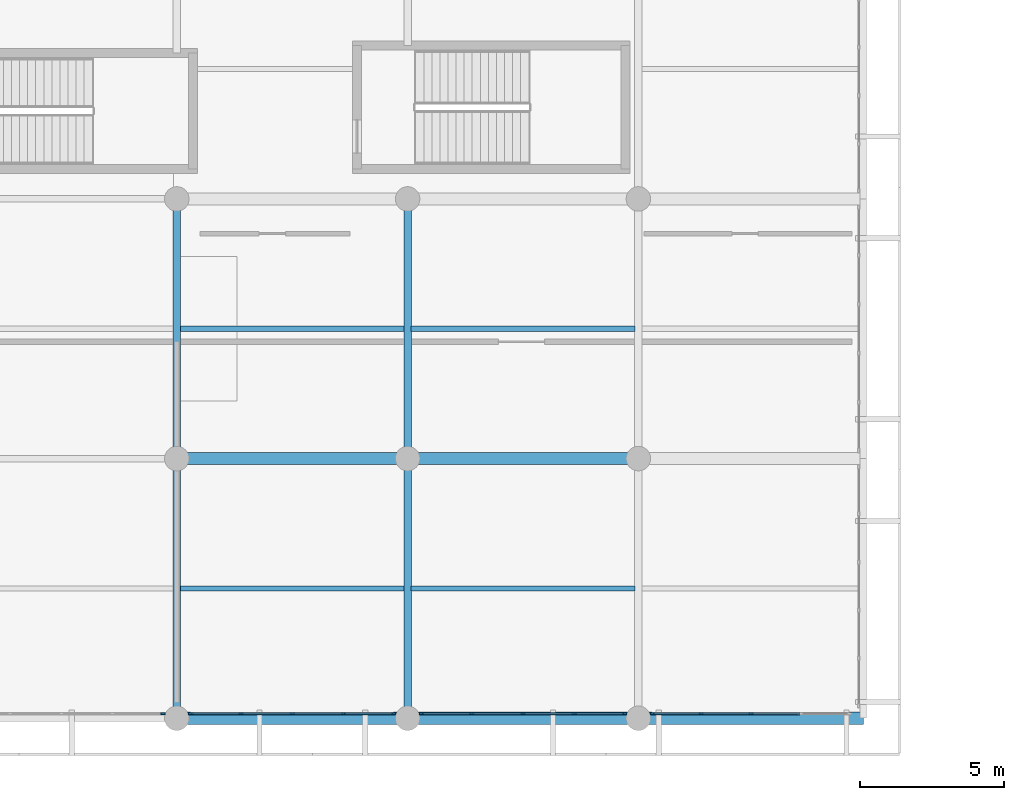
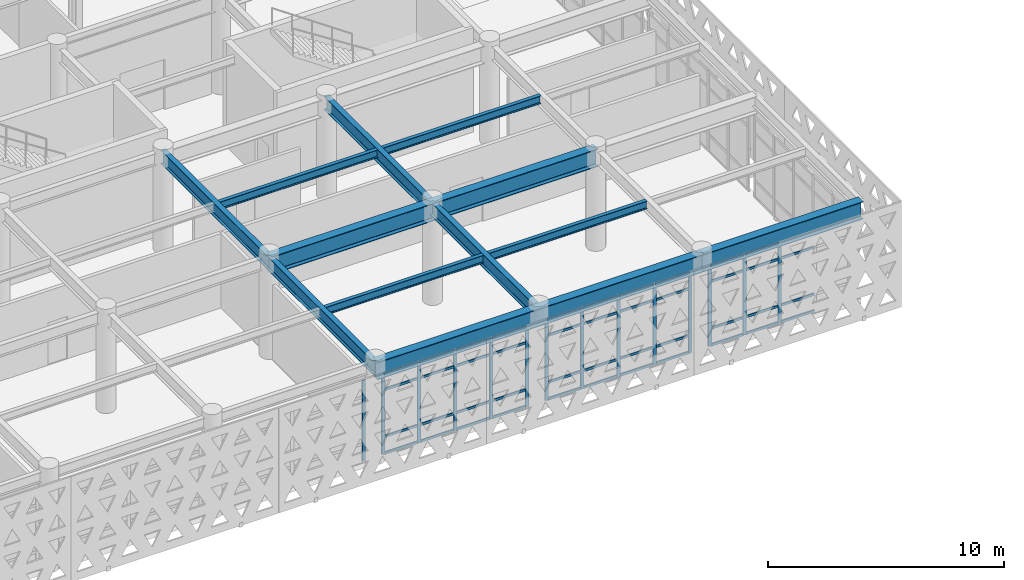
# One storey, part 23 of 84: 57 members, 11 beams, 4 elements without a shape of their own.
"""IFC4 building model written with IfcOpenShell, lengths in metres."""

import ifcopenshell
import ifcopenshell.guid

model = None  # the IFC model being written
_history = None  # IfcOwnerHistory: only IFC2X3 demands one
_inside = {}  # id of a spatial element -> (the spatial element, [elements in it])
_under = {}  # id of a project, library or spatial element -> (it, [spatial elements below it])
_declared = {}  # id of a project -> (the project, [libraries it declares])
_typed = {}  # id of a type object -> (the type object, [elements of that type])
_made_of = {}  # id of a material, layer set ... -> (it, [elements and type objects made of it])


def new_model(schema):
    """Start an empty IFC model of exactly this schema.

    Asked for "IFC4X3", IfcOpenShell would pick the latest addendum, in which some entities
    have other attributes; the version numbers below select the first issue.
    IFC2X3 requires an IfcOwnerHistory on every rooted entity: one is made here for all.
    """
    global model, _history
    if schema == "IFC4X3":
        model = ifcopenshell.file(schema_version=(4, 3, 0, 0))
    else:
        model = ifcopenshell.file(schema=schema)
    _inside.clear()
    _under.clear()
    _declared.clear()
    _typed.clear()
    _made_of.clear()
    _history = None
    if model.schema == "IFC2X3":
        org = make("IfcOrganization", Name="unknown")
        user = make(
            "IfcPersonAndOrganization",
            ThePerson=make("IfcPerson", FamilyName="unknown"),
            TheOrganization=org,
        )
        app = make(
            "IfcApplication",
            ApplicationDeveloper=org,
            Version="unknown",
            ApplicationFullName="unknown",
            ApplicationIdentifier="unknown",
        )
        _history = make(
            "IfcOwnerHistory",
            OwningUser=user,
            OwningApplication=app,
            ChangeAction="ADDED",
            CreationDate=0,
        )
    return model


def make(cls, **values):
    """One entity of the class cls with the attributes given. An attribute that is None is left unset."""
    return model.create_entity(
        cls, **{name: value for name, value in values.items() if value is not None}
    )


def rooted(cls, **values):
    """An entity with a GlobalId (a new one), such as an element, a storey or a relation."""
    return make(cls, GlobalId=ifcopenshell.guid.new(), OwnerHistory=_history, **values)


def si_unit(unit_type, name, prefix=None):
    """IfcSIUnit, for example si_unit("LENGTHUNIT", "METRE", prefix="MILLI")."""
    return make("IfcSIUnit", UnitType=unit_type, Prefix=prefix, Name=name)


def assignment(units):
    """IfcUnitAssignment: the units of a project."""
    return None if units is None else make("IfcUnitAssignment", Units=units)


def point(xyz):
    """IfcCartesianPoint."""
    return None if xyz is None else make("IfcCartesianPoint", Coordinates=xyz)


def direction(xyz):
    """IfcDirection."""
    return None if xyz is None else make("IfcDirection", DirectionRatios=xyz)


def frame(location, z_axis=None, x_axis=None):
    """IfcAxis2Placement3D, a coordinate frame: its origin and axes. An axis left out is left unset."""
    return make(
        "IfcAxis2Placement3D",
        Location=point(location),
        Axis=direction(z_axis),
        RefDirection=direction(x_axis),
    )


def frame_2d(location, x_axis=None):
    """IfcAxis2Placement2D, a coordinate frame in the plane: its origin and x axis."""
    return make(
        "IfcAxis2Placement2D", Location=point(location), RefDirection=direction(x_axis)
    )


def origin():
    """The frame at (0, 0, 0) with its axes left unset."""
    return frame((0.0, 0.0, 0.0))


def origin_2d():
    """The frame at (0, 0) in the plane with its x axis left unset."""
    return frame_2d((0.0, 0.0))


def place(relative_to, where):
    """IfcLocalPlacement: puts the frame where relative to a parent placement (None: the world)."""
    return make(
        "IfcLocalPlacement", PlacementRelTo=relative_to, RelativePlacement=where
    )


def context(
    kind, dimensions, precision=None, world=None, true_north=None, identifier=None
):
    """IfcGeometricRepresentationContext, for example the 3D "Model" context."""
    return make(
        "IfcGeometricRepresentationContext",
        ContextIdentifier=identifier,
        ContextType=kind,
        CoordinateSpaceDimension=dimensions,
        Precision=precision,
        WorldCoordinateSystem=world,
        TrueNorth=true_north,
    )


def subcontext(parent, identifier, kind, view, scale=None):
    """IfcGeometricRepresentationSubContext, for example "Body" below "Model"."""
    return make(
        "IfcGeometricRepresentationSubContext",
        ContextIdentifier=identifier,
        ContextType=kind,
        ParentContext=parent,
        TargetScale=scale,
        TargetView=view,
    )


def project(units=None, contexts=None):
    """IfcProject with its units and contexts."""
    return rooted(
        "IfcProject",
        Name="project",
        RepresentationContexts=contexts,
        UnitsInContext=assignment(units),
    )


def spatial(cls, under=None, at=None, **own):
    """A site, building, storey or space (cls), placed at a placement, below another one or the project."""
    s = rooted(cls, ObjectPlacement=at, **own)
    if under is not None:
        _under.setdefault(under.id(), (under, []))[1].append(s)
    return s


def profile(cls, at=None, kind="AREA", **sizes):
    """A parametric profile (cls). Its sizes go by their IFC names, for example OverallWidth=200.0."""
    return make(cls, ProfileType=kind, Position=at, **sizes)


def rectangle(**sizes):
    """IfcRectangleProfileDef."""
    return profile("IfcRectangleProfileDef", **sizes)


def i_section(**sizes):
    """IfcIShapeProfileDef."""
    return profile("IfcIShapeProfileDef", **sizes)


def extrude(swept, where, along, depth):
    """IfcExtrudedAreaSolid: the profile swept, set in the frame where, extruded along a direction by depth."""
    return make(
        "IfcExtrudedAreaSolid",
        SweptArea=swept,
        Position=where,
        ExtrudedDirection=direction(along),
        Depth=depth,
    )


def shape(context_of_items, identifier, shape_type, items):
    """IfcShapeRepresentation: the items that make up one representation, for example the "Body"."""
    return make(
        "IfcShapeRepresentation",
        ContextOfItems=context_of_items,
        RepresentationIdentifier=identifier,
        RepresentationType=shape_type,
        Items=items,
    )


def material(Name=None, Category=None):
    """IfcMaterial."""
    return make("IfcMaterial", Name=Name, Category=Category)


def layer(
    of_material, thickness, ventilated=None, Name=None, Category=None, Priority=None
):
    """IfcMaterialLayer: one layer of a wall or slab, of a material (None: an air gap)."""
    return make(
        "IfcMaterialLayer",
        Material=of_material,
        LayerThickness=thickness,
        IsVentilated=ventilated,
        Name=Name,
        Category=Category,
        Priority=Priority,
    )


def layer_set(layers, Name=None):
    """IfcMaterialLayerSet."""
    return make("IfcMaterialLayerSet", MaterialLayers=layers, LayerSetName=Name)


def material_profile(
    of_material, cross_section, Name=None, Category=None, Priority=None
):
    """IfcMaterialProfile: a cross section and its material."""
    return make(
        "IfcMaterialProfile",
        Name=Name,
        Material=of_material,
        Profile=cross_section,
        Priority=Priority,
        Category=Category,
    )


def profile_set(profiles, Name=None, composite=None):
    """IfcMaterialProfileSet."""
    return make(
        "IfcMaterialProfileSet",
        Name=Name,
        MaterialProfiles=profiles,
        CompositeProfile=composite,
    )


def made_of(thing, what):
    """Note that an element or type object is made of a material, layer set ...; save() writes the relation."""
    if what is not None:
        _made_of.setdefault(what.id(), (what, []))[1].append(thing)
    return thing


def type_object(cls, material=None, **own):
    """A type object (cls), such as IfcWallType, which elements share."""
    return made_of(rooted(cls, **own), material)


def element(
    cls,
    number,
    at=None,
    inside=None,
    cuts=None,
    type_object=None,
    material=None,
    context=None,
    identifier="Body",
    shape_type=None,
    held_by="IfcProductDefinitionShape",
    body=None,
    shapes=None,
    **own,
):
    """One element of the class cls, such as IfcWall. Its Tag is "e" and its number.

    at: its placement. inside: the storey or other place that contains it. cuts: it is an
    opening in that element (IfcRelVoidsElement). A single representation is given by context,
    identifier, shape_type and body (its items); several are given by shapes. held_by: the class
    of the entity that holds the representations. save() writes the other relations.
    """
    e = rooted(cls, Tag="e%d" % number, ObjectPlacement=at, **own)
    if body is not None:
        shapes = [shape(context, identifier, shape_type, body)]
    if shapes is not None:
        e.Representation = make(held_by, Representations=shapes)
    if inside is not None:
        _inside.setdefault(inside.id(), (inside, []))[1].append(e)
    if cuts is not None:
        rooted(
            "IfcRelVoidsElement", RelatingBuildingElement=cuts, RelatedOpeningElement=e
        )
    if type_object is not None:
        _typed.setdefault(type_object.id(), (type_object, []))[1].append(e)
    return made_of(e, material)


def aggregate(whole, parts):
    """IfcRelAggregates: a whole, such as a stair, and the parts it consists of."""
    return rooted("IfcRelAggregates", RelatingObject=whole, RelatedObjects=parts)


def save(model, path):
    """Write the relations noted so far, then the file.

    IfcRelAggregates (storeys below a building ...), IfcRelContainedInSpatialStructure (elements
    in a storey), IfcRelDefinesByType, IfcRelAssociatesMaterial and IfcRelDeclares: one each for
    every whole, place, type object, material and project.
    """
    for whole, parts in _under.values():
        aggregate(whole, parts)
    for where, things in _inside.values():
        rooted(
            "IfcRelContainedInSpatialStructure",
            RelatedElements=things,
            RelatingStructure=where,
        )
    for kind, things in _typed.values():
        rooted("IfcRelDefinesByType", RelatedObjects=things, RelatingType=kind)
    for what, things in _made_of.values():
        rooted("IfcRelAssociatesMaterial", RelatedObjects=things, RelatingMaterial=what)
    for by, libraries in _declared.values():
        rooted("IfcRelDeclares", RelatingContext=by, RelatedDefinitions=libraries)
    model.write(path)


model = new_model("IFC4")

# Units and contexts
model_context = context("Model", 3, precision=1e-05, world=origin(), true_north=direction((0.0, 1.0)))
body_context = subcontext(model_context, "Body", "Model", "MODEL_VIEW")
ifc_project = project(units=[si_unit("LENGTHUNIT", "METRE"), si_unit("AREAUNIT", "SQUARE_METRE"), si_unit("VOLUMEUNIT", "CUBIC_METRE"), si_unit("PLANEANGLEUNIT", "RADIAN"), si_unit("MASSUNIT", "GRAM", prefix="KILO")], contexts=[model_context])

# Site, building, storey
site_placement = place(None, origin())
site = spatial("IfcSite", under=ifc_project, at=site_placement, CompositionType="ELEMENT")
building_placement = place(site_placement, origin())
building = spatial("IfcBuilding", under=site, at=building_placement, Name="Tlacozan Convention Centre", CompositionType="ELEMENT")
storey_placement = place(building_placement, frame((0.0, 0.0, 6.0)))
storey = spatial("IfcBuildingStorey", under=building, at=storey_placement, Name="L01", CompositionType="ELEMENT", Elevation=6.0)

# Beam
ifc_material_1 = material(Name="Steel ASTM A992 Grade 50", Category="steel")
ifc_material_profile_1 = material_profile(ifc_material_1, i_section(OverallWidth=0.41796875, OverallDepth=0.912109375, WebThickness=0.019287109375, FlangeThickness=0.031982421875, FilletRadius=0.02001953125, at=origin_2d()), Name="IR 914x342.0")
ifc_profile_set_1 = profile_set([ifc_material_profile_1], Name="Steel ASTM A992 Grade 50")
beam_type_1 = type_object("IfcBeamType", Name="Cantilever Girder IR 914x342", PredefinedType="BEAM", material=ifc_profile_set_1)
beam_placement = place(storey_placement, frame((112.0, 0.0, 4.68408203125), z_axis=(1.0, 0.0, 0.0), x_axis=(0.0, 1.0, 0.0)))
element("IfcBeam", 1, at=beam_placement, inside=storey, type_object=beam_type_1, Name="L01 Cantilever Girder IR 914x342 314", PredefinedType="BEAM", context=body_context, shape_type="SweptSolid", body=[
    extrude(i_section(OverallWidth=0.41796875, OverallDepth=0.912109375, WebThickness=0.019287109375, FlangeThickness=0.031982421875, FilletRadius=0.02001953125, at=origin_2d()), origin(), (0.0, 0.0, 1.0), 7.800048828125),
])

# Curtain wall, member
ifc_material_2 = material(Name="Dark Bronze Anodised Aluminium", Category="aluminium")
ifc_layer = layer(ifc_material_2, 0.159912109375)
ifc_layer_set = layer_set([ifc_layer], Name="Dark Bronze Anodised Aluminium")
curtain_wall_type = type_object("IfcCurtainWallType", Name="Unitised Congress L01 South CW02", PredefinedType="NOTDEFINED", material=ifc_layer_set)
curtain_wall_1_placement = place(storey_placement, origin())
curtain_wall_1 = element("IfcCurtainWall", 2, at=curtain_wall_1_placement, inside=storey, type_object=curtain_wall_type, Name="L01 CW-02 Run 66", PredefinedType="NOTDEFINED")
ifc_material_profile_2 = material_profile(ifc_material_2, rectangle(XDim=0.06494140625, YDim=0.159912109375, at=origin_2d()), Name="ALU 65x160")
ifc_profile_set_2 = profile_set([ifc_material_profile_2], Name="Dark Bronze Anodised Aluminium")
member_type_1 = type_object("IfcMemberType", Name="Curtain Wall Mullion 65x160", PredefinedType="MULLION", material=ifc_profile_set_2)
member_1_placement = place(storey_placement, frame((95.517578125, 0.159912109375, 0.0), z_axis=(0.0, 0.0, 1.0), x_axis=(0.0, 1.0, 0.0)))
member_1 = element("IfcMember", 3, at=member_1_placement, type_object=member_type_1, Name="CW-02 mullion 5", PredefinedType="MULLION", context=body_context, shape_type="SweptSolid", body=[
    extrude(rectangle(XDim=0.06494140625, YDim=0.159912109375, at=origin_2d()), origin(), (0.0, 0.0, 1.0), 4.179931640625),
])
aggregate(curtain_wall_1, [member_1])

# Curtain wall, members
curtain_wall_2_placement = place(storey_placement, origin())
curtain_wall_2 = element("IfcCurtainWall", 4, at=curtain_wall_2_placement, inside=storey, type_object=curtain_wall_type, Name="L01 CW-02 Run 67", PredefinedType="NOTDEFINED")
member_2_placement = place(storey_placement, frame((96.482421875, 0.159912109375, 0.0), z_axis=(0.0, 0.0, 1.0), x_axis=(0.0, 1.0, 0.0)))
member_2 = element("IfcMember", 5, at=member_2_placement, type_object=member_type_1, Name="CW-02 mullion 1", PredefinedType="MULLION", context=body_context, shape_type="SweptSolid", body=[
    extrude(rectangle(XDim=0.06494140625, YDim=0.159912109375, at=origin_2d()), origin(), (0.0, 0.0, 1.0), 4.179931640625),
])
member_3_placement = place(storey_placement, frame((98.22509765625, 0.159912109375, 0.0), z_axis=(0.0, 0.0, 1.0), x_axis=(0.0, 1.0, 0.0)))
member_3 = element("IfcMember", 6, at=member_3_placement, type_object=member_type_1, Name="CW-02 mullion 2", PredefinedType="MULLION", context=body_context, shape_type="SweptSolid", body=[
    extrude(rectangle(XDim=0.06494140625, YDim=0.159912109375, at=origin_2d()), origin(), (0.0, 0.0, 1.0), 4.179931640625),
])
member_4_placement = place(storey_placement, frame((100.0, 0.159912109375, 0.0), z_axis=(0.0, 0.0, 1.0), x_axis=(0.0, 1.0, 0.0)))
member_4 = element("IfcMember", 7, at=member_4_placement, type_object=member_type_1, Name="CW-02 mullion 3", PredefinedType="MULLION", context=body_context, shape_type="SweptSolid", body=[
    extrude(rectangle(XDim=0.06494140625, YDim=0.159912109375, at=origin_2d()), origin(), (0.0, 0.0, 1.0), 4.179931640625),
])
member_5_placement = place(storey_placement, frame((101.77490234375, 0.159912109375, 0.0), z_axis=(0.0, 0.0, 1.0), x_axis=(0.0, 1.0, 0.0)))
member_5 = element("IfcMember", 8, at=member_5_placement, type_object=member_type_1, Name="CW-02 mullion 4", PredefinedType="MULLION", context=body_context, shape_type="SweptSolid", body=[
    extrude(rectangle(XDim=0.06494140625, YDim=0.159912109375, at=origin_2d()), origin(), (0.0, 0.0, 1.0), 4.179931640625),
])
member_6_placement = place(storey_placement, frame((103.517578125, 0.159912109375, 0.0), z_axis=(0.0, 0.0, 1.0), x_axis=(0.0, 1.0, 0.0)))
member_6 = element("IfcMember", 9, at=member_6_placement, type_object=member_type_1, Name="CW-02 mullion 5", PredefinedType="MULLION", context=body_context, shape_type="SweptSolid", body=[
    extrude(rectangle(XDim=0.06494140625, YDim=0.159912109375, at=origin_2d()), origin(), (0.0, 0.0, 1.0), 4.179931640625),
])

curtain_wall_3_placement = place(storey_placement, origin())
curtain_wall_3 = element("IfcCurtainWall", 10, at=curtain_wall_3_placement, inside=storey, type_object=curtain_wall_type, Name="L01 CW-02 Run 68", PredefinedType="NOTDEFINED")
member_7_placement = place(storey_placement, frame((104.482421875, 0.159912109375, 0.0), z_axis=(0.0, 0.0, 1.0), x_axis=(0.0, 1.0, 0.0)))
member_7 = element("IfcMember", 11, at=member_7_placement, type_object=member_type_1, Name="CW-02 mullion 1", PredefinedType="MULLION", context=body_context, shape_type="SweptSolid", body=[
    extrude(rectangle(XDim=0.06494140625, YDim=0.159912109375, at=origin_2d()), origin(), (0.0, 0.0, 1.0), 4.179931640625),
])
member_8_placement = place(storey_placement, frame((106.22509765625, 0.159912109375, 0.0), z_axis=(0.0, 0.0, 1.0), x_axis=(0.0, 1.0, 0.0)))
member_8 = element("IfcMember", 12, at=member_8_placement, type_object=member_type_1, Name="CW-02 mullion 2", PredefinedType="MULLION", context=body_context, shape_type="SweptSolid", body=[
    extrude(rectangle(XDim=0.06494140625, YDim=0.159912109375, at=origin_2d()), origin(), (0.0, 0.0, 1.0), 4.179931640625),
])
member_9_placement = place(storey_placement, frame((108.0, 0.159912109375, 0.0), z_axis=(0.0, 0.0, 1.0), x_axis=(0.0, 1.0, 0.0)))
member_9 = element("IfcMember", 13, at=member_9_placement, type_object=member_type_1, Name="CW-02 mullion 3", PredefinedType="MULLION", context=body_context, shape_type="SweptSolid", body=[
    extrude(rectangle(XDim=0.06494140625, YDim=0.159912109375, at=origin_2d()), origin(), (0.0, 0.0, 1.0), 4.179931640625),
])
member_10_placement = place(storey_placement, frame((109.77490234375, 0.159912109375, 0.0), z_axis=(0.0, 0.0, 1.0), x_axis=(0.0, 1.0, 0.0)))
member_10 = element("IfcMember", 14, at=member_10_placement, type_object=member_type_1, Name="CW-02 mullion 4", PredefinedType="MULLION", context=body_context, shape_type="SweptSolid", body=[
    extrude(rectangle(XDim=0.06494140625, YDim=0.159912109375, at=origin_2d()), origin(), (0.0, 0.0, 1.0), 4.179931640625),
])
member_11_placement = place(storey_placement, frame((111.517578125, 0.159912109375, 0.0), z_axis=(0.0, 0.0, 1.0), x_axis=(0.0, 1.0, 0.0)))
member_11 = element("IfcMember", 15, at=member_11_placement, type_object=member_type_1, Name="CW-02 mullion 5", PredefinedType="MULLION", context=body_context, shape_type="SweptSolid", body=[
    extrude(rectangle(XDim=0.06494140625, YDim=0.159912109375, at=origin_2d()), origin(), (0.0, 0.0, 1.0), 4.179931640625),
])

curtain_wall_4_placement = place(storey_placement, origin())
curtain_wall_4 = element("IfcCurtainWall", 16, at=curtain_wall_4_placement, inside=storey, type_object=curtain_wall_type, Name="L01 CW-02 Run 69", PredefinedType="NOTDEFINED")
member_12_placement = place(storey_placement, frame((112.482421875, 0.159912109375, 0.0), z_axis=(0.0, 0.0, 1.0), x_axis=(0.0, 1.0, 0.0)))
member_12 = element("IfcMember", 17, at=member_12_placement, type_object=member_type_1, Name="CW-02 mullion 1", PredefinedType="MULLION", context=body_context, shape_type="SweptSolid", body=[
    extrude(rectangle(XDim=0.06494140625, YDim=0.159912109375, at=origin_2d()), origin(), (0.0, 0.0, 1.0), 4.179931640625),
])
member_13_placement = place(storey_placement, frame((114.175048828125, 0.159912109375, 0.0), z_axis=(0.0, 0.0, 1.0), x_axis=(0.0, 1.0, 0.0)))
member_13 = element("IfcMember", 18, at=member_13_placement, type_object=member_type_1, Name="CW-02 mullion 2", PredefinedType="MULLION", context=body_context, shape_type="SweptSolid", body=[
    extrude(rectangle(XDim=0.06494140625, YDim=0.159912109375, at=origin_2d()), origin(), (0.0, 0.0, 1.0), 4.179931640625),
])
member_14_placement = place(storey_placement, frame((115.89990234375, 0.159912109375, 0.0), z_axis=(0.0, 0.0, 1.0), x_axis=(0.0, 1.0, 0.0)))
member_14 = element("IfcMember", 19, at=member_14_placement, type_object=member_type_1, Name="CW-02 mullion 3", PredefinedType="MULLION", context=body_context, shape_type="SweptSolid", body=[
    extrude(rectangle(XDim=0.06494140625, YDim=0.159912109375, at=origin_2d()), origin(), (0.0, 0.0, 1.0), 4.179931640625),
])

# Member
ifc_material_profile_3 = material_profile(ifc_material_2, rectangle(XDim=0.06494140625, YDim=0.125, at=origin_2d()), Name="ALU 65x125")
ifc_profile_set_3 = profile_set([ifc_material_profile_3], Name="Dark Bronze Anodised Aluminium")
member_type_2 = type_object("IfcMemberType", Name="Curtain Wall Transom 65x125", PredefinedType="USERDEFINED", material=ifc_profile_set_3)
member_15_placement = place(storey_placement, frame((96.514892578125, 0.159912109375, 0.032470703125), z_axis=(1.0, 0.0, 0.0), x_axis=(0.0, 1.0, 0.0)))
member_15 = element("IfcMember", 20, at=member_15_placement, type_object=member_type_2, Name="CW-02 transom 1.1", ObjectType="TRANSOM", PredefinedType="USERDEFINED", context=body_context, shape_type="SweptSolid", body=[
    extrude(rectangle(XDim=0.06494140625, YDim=0.125, at=origin_2d()), origin(), (0.0, 0.0, 1.0), 1.677490234375),
])

member_16_placement = place(storey_placement, frame((96.514892578125, 0.159912109375, 0.89990234375), z_axis=(1.0, 0.0, 0.0), x_axis=(0.0, 1.0, 0.0)))
member_16 = element("IfcMember", 21, at=member_16_placement, type_object=member_type_2, Name="CW-02 transom 1.2", ObjectType="TRANSOM", PredefinedType="USERDEFINED", context=body_context, shape_type="SweptSolid", body=[
    extrude(rectangle(XDim=0.06494140625, YDim=0.125, at=origin_2d()), origin(), (0.0, 0.0, 1.0), 1.677490234375),
])

member_17_placement = place(storey_placement, frame((96.514892578125, 0.159912109375, 3.330078125), z_axis=(1.0, 0.0, 0.0), x_axis=(0.0, 1.0, 0.0)))
member_17 = element("IfcMember", 22, at=member_17_placement, type_object=member_type_2, Name="CW-02 transom 1.3", ObjectType="TRANSOM", PredefinedType="USERDEFINED", context=body_context, shape_type="SweptSolid", body=[
    extrude(rectangle(XDim=0.06494140625, YDim=0.125, at=origin_2d()), origin(), (0.0, 0.0, 1.0), 1.677490234375),
])

member_18_placement = place(storey_placement, frame((96.514892578125, 0.159912109375, 4.1474609375), z_axis=(1.0, 0.0, 0.0), x_axis=(0.0, 1.0, 0.0)))
member_18 = element("IfcMember", 23, at=member_18_placement, type_object=member_type_2, Name="CW-02 transom 1.4", ObjectType="TRANSOM", PredefinedType="USERDEFINED", context=body_context, shape_type="SweptSolid", body=[
    extrude(rectangle(XDim=0.06494140625, YDim=0.125, at=origin_2d()), origin(), (0.0, 0.0, 1.0), 1.677490234375),
])

member_19_placement = place(storey_placement, frame((98.257568359375, 0.159912109375, 0.032470703125), z_axis=(1.0, 0.0, 0.0), x_axis=(0.0, 1.0, 0.0)))
member_19 = element("IfcMember", 24, at=member_19_placement, type_object=member_type_2, Name="CW-02 transom 2.1", ObjectType="TRANSOM", PredefinedType="USERDEFINED", context=body_context, shape_type="SweptSolid", body=[
    extrude(rectangle(XDim=0.06494140625, YDim=0.125, at=origin_2d()), origin(), (0.0, 0.0, 1.0), 1.7099609375),
])

member_20_placement = place(storey_placement, frame((98.257568359375, 0.159912109375, 0.89990234375), z_axis=(1.0, 0.0, 0.0), x_axis=(0.0, 1.0, 0.0)))
member_20 = element("IfcMember", 25, at=member_20_placement, type_object=member_type_2, Name="CW-02 transom 2.2", ObjectType="TRANSOM", PredefinedType="USERDEFINED", context=body_context, shape_type="SweptSolid", body=[
    extrude(rectangle(XDim=0.06494140625, YDim=0.125, at=origin_2d()), origin(), (0.0, 0.0, 1.0), 1.7099609375),
])

member_21_placement = place(storey_placement, frame((98.257568359375, 0.159912109375, 3.330078125), z_axis=(1.0, 0.0, 0.0), x_axis=(0.0, 1.0, 0.0)))
member_21 = element("IfcMember", 26, at=member_21_placement, type_object=member_type_2, Name="CW-02 transom 2.3", ObjectType="TRANSOM", PredefinedType="USERDEFINED", context=body_context, shape_type="SweptSolid", body=[
    extrude(rectangle(XDim=0.06494140625, YDim=0.125, at=origin_2d()), origin(), (0.0, 0.0, 1.0), 1.7099609375),
])

member_22_placement = place(storey_placement, frame((98.257568359375, 0.159912109375, 4.1474609375), z_axis=(1.0, 0.0, 0.0), x_axis=(0.0, 1.0, 0.0)))
member_22 = element("IfcMember", 27, at=member_22_placement, type_object=member_type_2, Name="CW-02 transom 2.4", ObjectType="TRANSOM", PredefinedType="USERDEFINED", context=body_context, shape_type="SweptSolid", body=[
    extrude(rectangle(XDim=0.06494140625, YDim=0.125, at=origin_2d()), origin(), (0.0, 0.0, 1.0), 1.7099609375),
])

member_23_placement = place(storey_placement, frame((100.032470703125, 0.159912109375, 0.032470703125), z_axis=(1.0, 0.0, 0.0), x_axis=(0.0, 1.0, 0.0)))
member_23 = element("IfcMember", 28, at=member_23_placement, type_object=member_type_2, Name="CW-02 transom 3.1", ObjectType="TRANSOM", PredefinedType="USERDEFINED", context=body_context, shape_type="SweptSolid", body=[
    extrude(rectangle(XDim=0.06494140625, YDim=0.125, at=origin_2d()), origin(), (0.0, 0.0, 1.0), 1.7099609375),
])

member_24_placement = place(storey_placement, frame((100.032470703125, 0.159912109375, 0.89990234375), z_axis=(1.0, 0.0, 0.0), x_axis=(0.0, 1.0, 0.0)))
member_24 = element("IfcMember", 29, at=member_24_placement, type_object=member_type_2, Name="CW-02 transom 3.2", ObjectType="TRANSOM", PredefinedType="USERDEFINED", context=body_context, shape_type="SweptSolid", body=[
    extrude(rectangle(XDim=0.06494140625, YDim=0.125, at=origin_2d()), origin(), (0.0, 0.0, 1.0), 1.7099609375),
])

member_25_placement = place(storey_placement, frame((100.032470703125, 0.159912109375, 3.330078125), z_axis=(1.0, 0.0, 0.0), x_axis=(0.0, 1.0, 0.0)))
member_25 = element("IfcMember", 30, at=member_25_placement, type_object=member_type_2, Name="CW-02 transom 3.3", ObjectType="TRANSOM", PredefinedType="USERDEFINED", context=body_context, shape_type="SweptSolid", body=[
    extrude(rectangle(XDim=0.06494140625, YDim=0.125, at=origin_2d()), origin(), (0.0, 0.0, 1.0), 1.7099609375),
])

member_26_placement = place(storey_placement, frame((100.032470703125, 0.159912109375, 4.1474609375), z_axis=(1.0, 0.0, 0.0), x_axis=(0.0, 1.0, 0.0)))
member_26 = element("IfcMember", 31, at=member_26_placement, type_object=member_type_2, Name="CW-02 transom 3.4", ObjectType="TRANSOM", PredefinedType="USERDEFINED", context=body_context, shape_type="SweptSolid", body=[
    extrude(rectangle(XDim=0.06494140625, YDim=0.125, at=origin_2d()), origin(), (0.0, 0.0, 1.0), 1.7099609375),
])

member_27_placement = place(storey_placement, frame((101.8076171875, 0.159912109375, 0.032470703125), z_axis=(1.0, 0.0, 0.0), x_axis=(0.0, 1.0, 0.0)))
member_27 = element("IfcMember", 32, at=member_27_placement, type_object=member_type_2, Name="CW-02 transom 4.1", ObjectType="TRANSOM", PredefinedType="USERDEFINED", context=body_context, shape_type="SweptSolid", body=[
    extrude(rectangle(XDim=0.06494140625, YDim=0.125, at=origin_2d()), origin(), (0.0, 0.0, 1.0), 1.677490234375),
])

member_28_placement = place(storey_placement, frame((101.8076171875, 0.159912109375, 0.89990234375), z_axis=(1.0, 0.0, 0.0), x_axis=(0.0, 1.0, 0.0)))
member_28 = element("IfcMember", 33, at=member_28_placement, type_object=member_type_2, Name="CW-02 transom 4.2", ObjectType="TRANSOM", PredefinedType="USERDEFINED", context=body_context, shape_type="SweptSolid", body=[
    extrude(rectangle(XDim=0.06494140625, YDim=0.125, at=origin_2d()), origin(), (0.0, 0.0, 1.0), 1.677490234375),
])

member_29_placement = place(storey_placement, frame((101.8076171875, 0.159912109375, 3.330078125), z_axis=(1.0, 0.0, 0.0), x_axis=(0.0, 1.0, 0.0)))
member_29 = element("IfcMember", 34, at=member_29_placement, type_object=member_type_2, Name="CW-02 transom 4.3", ObjectType="TRANSOM", PredefinedType="USERDEFINED", context=body_context, shape_type="SweptSolid", body=[
    extrude(rectangle(XDim=0.06494140625, YDim=0.125, at=origin_2d()), origin(), (0.0, 0.0, 1.0), 1.677490234375),
])

member_30_placement = place(storey_placement, frame((101.8076171875, 0.159912109375, 4.1474609375), z_axis=(1.0, 0.0, 0.0), x_axis=(0.0, 1.0, 0.0)))
member_30 = element("IfcMember", 35, at=member_30_placement, type_object=member_type_2, Name="CW-02 transom 4.4", ObjectType="TRANSOM", PredefinedType="USERDEFINED", context=body_context, shape_type="SweptSolid", body=[
    extrude(rectangle(XDim=0.06494140625, YDim=0.125, at=origin_2d()), origin(), (0.0, 0.0, 1.0), 1.677490234375),
])

aggregate(curtain_wall_2, [member_2, member_3, member_4, member_5, member_6, member_15, member_16, member_17, member_18, member_19, member_20, member_21, member_22, member_23, member_24, member_25, member_26, member_27, member_28, member_29, member_30])

member_31_placement = place(storey_placement, frame((104.514892578125, 0.159912109375, 0.032470703125), z_axis=(1.0, 0.0, 0.0), x_axis=(0.0, 1.0, 0.0)))
member_31 = element("IfcMember", 36, at=member_31_placement, type_object=member_type_2, Name="CW-02 transom 1.1", ObjectType="TRANSOM", PredefinedType="USERDEFINED", context=body_context, shape_type="SweptSolid", body=[
    extrude(rectangle(XDim=0.06494140625, YDim=0.125, at=origin_2d()), origin(), (0.0, 0.0, 1.0), 1.677490234375),
])

member_32_placement = place(storey_placement, frame((104.514892578125, 0.159912109375, 0.89990234375), z_axis=(1.0, 0.0, 0.0), x_axis=(0.0, 1.0, 0.0)))
member_32 = element("IfcMember", 37, at=member_32_placement, type_object=member_type_2, Name="CW-02 transom 1.2", ObjectType="TRANSOM", PredefinedType="USERDEFINED", context=body_context, shape_type="SweptSolid", body=[
    extrude(rectangle(XDim=0.06494140625, YDim=0.125, at=origin_2d()), origin(), (0.0, 0.0, 1.0), 1.677490234375),
])

member_33_placement = place(storey_placement, frame((104.514892578125, 0.159912109375, 3.330078125), z_axis=(1.0, 0.0, 0.0), x_axis=(0.0, 1.0, 0.0)))
member_33 = element("IfcMember", 38, at=member_33_placement, type_object=member_type_2, Name="CW-02 transom 1.3", ObjectType="TRANSOM", PredefinedType="USERDEFINED", context=body_context, shape_type="SweptSolid", body=[
    extrude(rectangle(XDim=0.06494140625, YDim=0.125, at=origin_2d()), origin(), (0.0, 0.0, 1.0), 1.677490234375),
])

member_34_placement = place(storey_placement, frame((104.514892578125, 0.159912109375, 4.1474609375), z_axis=(1.0, 0.0, 0.0), x_axis=(0.0, 1.0, 0.0)))
member_34 = element("IfcMember", 39, at=member_34_placement, type_object=member_type_2, Name="CW-02 transom 1.4", ObjectType="TRANSOM", PredefinedType="USERDEFINED", context=body_context, shape_type="SweptSolid", body=[
    extrude(rectangle(XDim=0.06494140625, YDim=0.125, at=origin_2d()), origin(), (0.0, 0.0, 1.0), 1.677490234375),
])

member_35_placement = place(storey_placement, frame((106.257568359375, 0.159912109375, 0.032470703125), z_axis=(1.0, 0.0, 0.0), x_axis=(0.0, 1.0, 0.0)))
member_35 = element("IfcMember", 40, at=member_35_placement, type_object=member_type_2, Name="CW-02 transom 2.1", ObjectType="TRANSOM", PredefinedType="USERDEFINED", context=body_context, shape_type="SweptSolid", body=[
    extrude(rectangle(XDim=0.06494140625, YDim=0.125, at=origin_2d()), origin(), (0.0, 0.0, 1.0), 1.7099609375),
])

member_36_placement = place(storey_placement, frame((106.257568359375, 0.159912109375, 0.89990234375), z_axis=(1.0, 0.0, 0.0), x_axis=(0.0, 1.0, 0.0)))
member_36 = element("IfcMember", 41, at=member_36_placement, type_object=member_type_2, Name="CW-02 transom 2.2", ObjectType="TRANSOM", PredefinedType="USERDEFINED", context=body_context, shape_type="SweptSolid", body=[
    extrude(rectangle(XDim=0.06494140625, YDim=0.125, at=origin_2d()), origin(), (0.0, 0.0, 1.0), 1.7099609375),
])

member_37_placement = place(storey_placement, frame((106.257568359375, 0.159912109375, 3.330078125), z_axis=(1.0, 0.0, 0.0), x_axis=(0.0, 1.0, 0.0)))
member_37 = element("IfcMember", 42, at=member_37_placement, type_object=member_type_2, Name="CW-02 transom 2.3", ObjectType="TRANSOM", PredefinedType="USERDEFINED", context=body_context, shape_type="SweptSolid", body=[
    extrude(rectangle(XDim=0.06494140625, YDim=0.125, at=origin_2d()), origin(), (0.0, 0.0, 1.0), 1.7099609375),
])

member_38_placement = place(storey_placement, frame((106.257568359375, 0.159912109375, 4.1474609375), z_axis=(1.0, 0.0, 0.0), x_axis=(0.0, 1.0, 0.0)))
member_38 = element("IfcMember", 43, at=member_38_placement, type_object=member_type_2, Name="CW-02 transom 2.4", ObjectType="TRANSOM", PredefinedType="USERDEFINED", context=body_context, shape_type="SweptSolid", body=[
    extrude(rectangle(XDim=0.06494140625, YDim=0.125, at=origin_2d()), origin(), (0.0, 0.0, 1.0), 1.7099609375),
])

member_39_placement = place(storey_placement, frame((108.032470703125, 0.159912109375, 0.032470703125), z_axis=(1.0, 0.0, 0.0), x_axis=(0.0, 1.0, 0.0)))
member_39 = element("IfcMember", 44, at=member_39_placement, type_object=member_type_2, Name="CW-02 transom 3.1", ObjectType="TRANSOM", PredefinedType="USERDEFINED", context=body_context, shape_type="SweptSolid", body=[
    extrude(rectangle(XDim=0.06494140625, YDim=0.125, at=origin_2d()), origin(), (0.0, 0.0, 1.0), 1.7099609375),
])

member_40_placement = place(storey_placement, frame((108.032470703125, 0.159912109375, 0.89990234375), z_axis=(1.0, 0.0, 0.0), x_axis=(0.0, 1.0, 0.0)))
member_40 = element("IfcMember", 45, at=member_40_placement, type_object=member_type_2, Name="CW-02 transom 3.2", ObjectType="TRANSOM", PredefinedType="USERDEFINED", context=body_context, shape_type="SweptSolid", body=[
    extrude(rectangle(XDim=0.06494140625, YDim=0.125, at=origin_2d()), origin(), (0.0, 0.0, 1.0), 1.7099609375),
])

member_41_placement = place(storey_placement, frame((108.032470703125, 0.159912109375, 3.330078125), z_axis=(1.0, 0.0, 0.0), x_axis=(0.0, 1.0, 0.0)))
member_41 = element("IfcMember", 46, at=member_41_placement, type_object=member_type_2, Name="CW-02 transom 3.3", ObjectType="TRANSOM", PredefinedType="USERDEFINED", context=body_context, shape_type="SweptSolid", body=[
    extrude(rectangle(XDim=0.06494140625, YDim=0.125, at=origin_2d()), origin(), (0.0, 0.0, 1.0), 1.7099609375),
])

member_42_placement = place(storey_placement, frame((108.032470703125, 0.159912109375, 4.1474609375), z_axis=(1.0, 0.0, 0.0), x_axis=(0.0, 1.0, 0.0)))
member_42 = element("IfcMember", 47, at=member_42_placement, type_object=member_type_2, Name="CW-02 transom 3.4", ObjectType="TRANSOM", PredefinedType="USERDEFINED", context=body_context, shape_type="SweptSolid", body=[
    extrude(rectangle(XDim=0.06494140625, YDim=0.125, at=origin_2d()), origin(), (0.0, 0.0, 1.0), 1.7099609375),
])

member_43_placement = place(storey_placement, frame((109.8076171875, 0.159912109375, 0.032470703125), z_axis=(1.0, 0.0, 0.0), x_axis=(0.0, 1.0, 0.0)))
member_43 = element("IfcMember", 48, at=member_43_placement, type_object=member_type_2, Name="CW-02 transom 4.1", ObjectType="TRANSOM", PredefinedType="USERDEFINED", context=body_context, shape_type="SweptSolid", body=[
    extrude(rectangle(XDim=0.06494140625, YDim=0.125, at=origin_2d()), origin(), (0.0, 0.0, 1.0), 1.677490234375),
])

member_44_placement = place(storey_placement, frame((109.8076171875, 0.159912109375, 0.89990234375), z_axis=(1.0, 0.0, 0.0), x_axis=(0.0, 1.0, 0.0)))
member_44 = element("IfcMember", 49, at=member_44_placement, type_object=member_type_2, Name="CW-02 transom 4.2", ObjectType="TRANSOM", PredefinedType="USERDEFINED", context=body_context, shape_type="SweptSolid", body=[
    extrude(rectangle(XDim=0.06494140625, YDim=0.125, at=origin_2d()), origin(), (0.0, 0.0, 1.0), 1.677490234375),
])

member_45_placement = place(storey_placement, frame((109.8076171875, 0.159912109375, 3.330078125), z_axis=(1.0, 0.0, 0.0), x_axis=(0.0, 1.0, 0.0)))
member_45 = element("IfcMember", 50, at=member_45_placement, type_object=member_type_2, Name="CW-02 transom 4.3", ObjectType="TRANSOM", PredefinedType="USERDEFINED", context=body_context, shape_type="SweptSolid", body=[
    extrude(rectangle(XDim=0.06494140625, YDim=0.125, at=origin_2d()), origin(), (0.0, 0.0, 1.0), 1.677490234375),
])

member_46_placement = place(storey_placement, frame((109.8076171875, 0.159912109375, 4.1474609375), z_axis=(1.0, 0.0, 0.0), x_axis=(0.0, 1.0, 0.0)))
member_46 = element("IfcMember", 51, at=member_46_placement, type_object=member_type_2, Name="CW-02 transom 4.4", ObjectType="TRANSOM", PredefinedType="USERDEFINED", context=body_context, shape_type="SweptSolid", body=[
    extrude(rectangle(XDim=0.06494140625, YDim=0.125, at=origin_2d()), origin(), (0.0, 0.0, 1.0), 1.677490234375),
])

aggregate(curtain_wall_3, [member_7, member_8, member_9, member_10, member_11, member_31, member_32, member_33, member_34, member_35, member_36, member_37, member_38, member_39, member_40, member_41, member_42, member_43, member_44, member_45, member_46])

member_47_placement = place(storey_placement, frame((112.514892578125, 0.159912109375, 0.032470703125), z_axis=(1.0, 0.0, 0.0), x_axis=(0.0, 1.0, 0.0)))
member_47 = element("IfcMember", 52, at=member_47_placement, type_object=member_type_2, Name="CW-02 transom 1.1", ObjectType="TRANSOM", PredefinedType="USERDEFINED", context=body_context, shape_type="SweptSolid", body=[
    extrude(rectangle(XDim=0.06494140625, YDim=0.125, at=origin_2d()), origin(), (0.0, 0.0, 1.0), 1.627685546875),
])

member_48_placement = place(storey_placement, frame((112.514892578125, 0.159912109375, 0.89990234375), z_axis=(1.0, 0.0, 0.0), x_axis=(0.0, 1.0, 0.0)))
member_48 = element("IfcMember", 53, at=member_48_placement, type_object=member_type_2, Name="CW-02 transom 1.2", ObjectType="TRANSOM", PredefinedType="USERDEFINED", context=body_context, shape_type="SweptSolid", body=[
    extrude(rectangle(XDim=0.06494140625, YDim=0.125, at=origin_2d()), origin(), (0.0, 0.0, 1.0), 1.627685546875),
])

member_49_placement = place(storey_placement, frame((112.514892578125, 0.159912109375, 3.330078125), z_axis=(1.0, 0.0, 0.0), x_axis=(0.0, 1.0, 0.0)))
member_49 = element("IfcMember", 54, at=member_49_placement, type_object=member_type_2, Name="CW-02 transom 1.3", ObjectType="TRANSOM", PredefinedType="USERDEFINED", context=body_context, shape_type="SweptSolid", body=[
    extrude(rectangle(XDim=0.06494140625, YDim=0.125, at=origin_2d()), origin(), (0.0, 0.0, 1.0), 1.627685546875),
])

member_50_placement = place(storey_placement, frame((112.514892578125, 0.159912109375, 4.1474609375), z_axis=(1.0, 0.0, 0.0), x_axis=(0.0, 1.0, 0.0)))
member_50 = element("IfcMember", 55, at=member_50_placement, type_object=member_type_2, Name="CW-02 transom 1.4", ObjectType="TRANSOM", PredefinedType="USERDEFINED", context=body_context, shape_type="SweptSolid", body=[
    extrude(rectangle(XDim=0.06494140625, YDim=0.125, at=origin_2d()), origin(), (0.0, 0.0, 1.0), 1.627685546875),
])

member_51_placement = place(storey_placement, frame((114.20751953125, 0.159912109375, 0.032470703125), z_axis=(1.0, 0.0, 0.0), x_axis=(0.0, 1.0, 0.0)))
member_51 = element("IfcMember", 56, at=member_51_placement, type_object=member_type_2, Name="CW-02 transom 2.1", ObjectType="TRANSOM", PredefinedType="USERDEFINED", context=body_context, shape_type="SweptSolid", body=[
    extrude(rectangle(XDim=0.06494140625, YDim=0.125, at=origin_2d()), origin(), (0.0, 0.0, 1.0), 1.659912109375),
])

member_52_placement = place(storey_placement, frame((114.20751953125, 0.159912109375, 0.89990234375), z_axis=(1.0, 0.0, 0.0), x_axis=(0.0, 1.0, 0.0)))
member_52 = element("IfcMember", 57, at=member_52_placement, type_object=member_type_2, Name="CW-02 transom 2.2", ObjectType="TRANSOM", PredefinedType="USERDEFINED", context=body_context, shape_type="SweptSolid", body=[
    extrude(rectangle(XDim=0.06494140625, YDim=0.125, at=origin_2d()), origin(), (0.0, 0.0, 1.0), 1.659912109375),
])

member_53_placement = place(storey_placement, frame((114.20751953125, 0.159912109375, 3.330078125), z_axis=(1.0, 0.0, 0.0), x_axis=(0.0, 1.0, 0.0)))
member_53 = element("IfcMember", 58, at=member_53_placement, type_object=member_type_2, Name="CW-02 transom 2.3", ObjectType="TRANSOM", PredefinedType="USERDEFINED", context=body_context, shape_type="SweptSolid", body=[
    extrude(rectangle(XDim=0.06494140625, YDim=0.125, at=origin_2d()), origin(), (0.0, 0.0, 1.0), 1.659912109375),
])

member_54_placement = place(storey_placement, frame((114.20751953125, 0.159912109375, 4.1474609375), z_axis=(1.0, 0.0, 0.0), x_axis=(0.0, 1.0, 0.0)))
member_54 = element("IfcMember", 59, at=member_54_placement, type_object=member_type_2, Name="CW-02 transom 2.4", ObjectType="TRANSOM", PredefinedType="USERDEFINED", context=body_context, shape_type="SweptSolid", body=[
    extrude(rectangle(XDim=0.06494140625, YDim=0.125, at=origin_2d()), origin(), (0.0, 0.0, 1.0), 1.659912109375),
])

member_55_placement = place(storey_placement, frame((115.9326171875, 0.159912109375, 0.032470703125), z_axis=(1.0, 0.0, 0.0), x_axis=(0.0, 1.0, 0.0)))
member_55 = element("IfcMember", 60, at=member_55_placement, type_object=member_type_2, Name="CW-02 transom 3.1", ObjectType="TRANSOM", PredefinedType="USERDEFINED", context=body_context, shape_type="SweptSolid", body=[
    extrude(rectangle(XDim=0.06494140625, YDim=0.125, at=origin_2d()), origin(), (0.0, 0.0, 1.0), 1.659912109375),
])

member_56_placement = place(storey_placement, frame((115.9326171875, 0.159912109375, 0.89990234375), z_axis=(1.0, 0.0, 0.0), x_axis=(0.0, 1.0, 0.0)))
member_56 = element("IfcMember", 61, at=member_56_placement, type_object=member_type_2, Name="CW-02 transom 3.2", ObjectType="TRANSOM", PredefinedType="USERDEFINED", context=body_context, shape_type="SweptSolid", body=[
    extrude(rectangle(XDim=0.06494140625, YDim=0.125, at=origin_2d()), origin(), (0.0, 0.0, 1.0), 1.659912109375),
])

member_57_placement = place(storey_placement, frame((115.9326171875, 0.159912109375, 3.330078125), z_axis=(1.0, 0.0, 0.0), x_axis=(0.0, 1.0, 0.0)))
member_57 = element("IfcMember", 62, at=member_57_placement, type_object=member_type_2, Name="CW-02 transom 3.3", ObjectType="TRANSOM", PredefinedType="USERDEFINED", context=body_context, shape_type="SweptSolid", body=[
    extrude(rectangle(XDim=0.06494140625, YDim=0.125, at=origin_2d()), origin(), (0.0, 0.0, 1.0), 1.659912109375),
])

aggregate(curtain_wall_4, [member_12, member_13, member_14, member_47, member_48, member_49, member_50, member_51, member_52, member_53, member_54, member_55, member_56, member_57])

# Beams
ifc_material_profile_4 = material_profile(ifc_material_1, i_section(OverallWidth=0.256103515625, OverallDepth=0.693115234375, WebThickness=0.014404296875, FlangeThickness=0.023681640625, FilletRadius=0.014892578125, at=origin_2d()), Name="IR 686x170.0")
ifc_profile_set_4 = profile_set([ifc_material_profile_4], Name="Steel ASTM A992 Grade 50")
beam_type_2 = type_object("IfcBeamType", Name="Girder Steel IR 686x170", PredefinedType="BEAM", material=ifc_profile_set_4)
for number, where, z_axis, x_axis, name in (
    (63, (96.0, 0.0, 4.79345703125), (0.0, 1.0, 0.0), (-1.0, 0.0, 0.0), "L01 Girder Steel IR 686x170 296"),
    (64, (96.0, 9.0, 4.79345703125), (0.0, 1.0, 0.0), (-1.0, 0.0, 0.0), "L01 Girder Steel IR 686x170 297"),
    (65, (104.0, 0.0, 4.79345703125), (0.0, 1.0, 0.0), (-1.0, 0.0, 0.0), "L01 Girder Steel IR 686x170 299"),
    (66, (104.0, 9.0, 4.79345703125), (0.0, 1.0, 0.0), (-1.0, 0.0, 0.0), "L01 Girder Steel IR 686x170 300"),
):
    element("IfcBeam", number, at=place(storey_placement, frame(where, z_axis=z_axis, x_axis=x_axis)), inside=storey, type_object=beam_type_2, Name=name, PredefinedType="BEAM", context=body_context, shape_type="SweptSolid", body=[
        extrude(i_section(OverallWidth=0.256103515625, OverallDepth=0.693115234375, WebThickness=0.014404296875, FlangeThickness=0.023681640625, FilletRadius=0.014892578125, at=origin_2d()), origin(), (0.0, 0.0, 1.0), 9.0),
    ])
ifc_material_profile_5 = material_profile(ifc_material_1, i_section(OverallWidth=0.179931640625, OverallDepth=0.4130859375, WebThickness=0.009765625, FlangeThickness=0.01611328125, FilletRadius=0.010986328125, at=origin_2d()), Name="IR 406x74.4")
ifc_profile_set_5 = profile_set([ifc_material_profile_5], Name="Steel ASTM A992 Grade 50")
beam_type_3 = type_object("IfcBeamType", Name="Secondary Joist IR 406x74.4", PredefinedType="JOIST", material=ifc_profile_set_5)
for number, where, z_axis, x_axis, name in (
    (67, (96.1259765625, 4.5, 4.93359375), (1.0, 0.0, 0.0), (0.0, 1.0, 0.0), "L01 Secondary Joist IR 406x74.4 392"),
    (68, (96.1259765625, 13.5, 4.93359375), (1.0, 0.0, 0.0), (0.0, 1.0, 0.0), "L01 Secondary Joist IR 406x74.4 393"),
    (69, (104.1259765625, 4.5, 4.93359375), (1.0, 0.0, 0.0), (0.0, 1.0, 0.0), "L01 Secondary Joist IR 406x74.4 395"),
    (70, (104.1259765625, 13.5, 4.93359375), (1.0, 0.0, 0.0), (0.0, 1.0, 0.0), "L01 Secondary Joist IR 406x74.4 396"),
):
    element("IfcBeam", number, at=place(storey_placement, frame(where, z_axis=z_axis, x_axis=x_axis)), inside=storey, type_object=beam_type_3, Name=name, PredefinedType="JOIST", context=body_context, shape_type="SweptSolid", body=[
        extrude(i_section(OverallWidth=0.179931640625, OverallDepth=0.4130859375, WebThickness=0.009765625, FlangeThickness=0.01611328125, FilletRadius=0.010986328125, at=origin_2d()), origin(), (0.0, 0.0, 1.0), 7.748046875),
    ])
ifc_material_profile_6 = material_profile(ifc_material_1, i_section(OverallWidth=0.41796875, OverallDepth=0.912109375, WebThickness=0.019287109375, FlangeThickness=0.031982421875, FilletRadius=0.02001953125, at=origin_2d()), Name="IR 914x342.0")
ifc_profile_set_6 = profile_set([ifc_material_profile_6], Name="Steel ASTM A992 Grade 50")
beam_type_4 = type_object("IfcBeamType", Name="Transfer Girder IR 914x342", PredefinedType="BEAM", material=ifc_profile_set_6)
for number, where, z_axis, x_axis, name in (
    (71, (96.0, 0.0, 4.68408203125), (1.0, 0.0, 0.0), (0.0, 1.0, 0.0), "L01 Transfer Girder IR 914x342 313"),
    (72, (96.0, 9.0, 4.68408203125), (1.0, 0.0, 0.0), (0.0, 1.0, 0.0), "L01 Transfer Girder IR 914x342 317"),
):
    element("IfcBeam", number, at=place(storey_placement, frame(where, z_axis=z_axis, x_axis=x_axis)), inside=storey, type_object=beam_type_4, Name=name, PredefinedType="BEAM", context=body_context, shape_type="SweptSolid", body=[
        extrude(i_section(OverallWidth=0.41796875, OverallDepth=0.912109375, WebThickness=0.019287109375, FlangeThickness=0.031982421875, FilletRadius=0.02001953125, at=origin_2d()), origin(), (0.0, 0.0, 1.0), 16.0),
    ])

save(model, "model.ifc")
